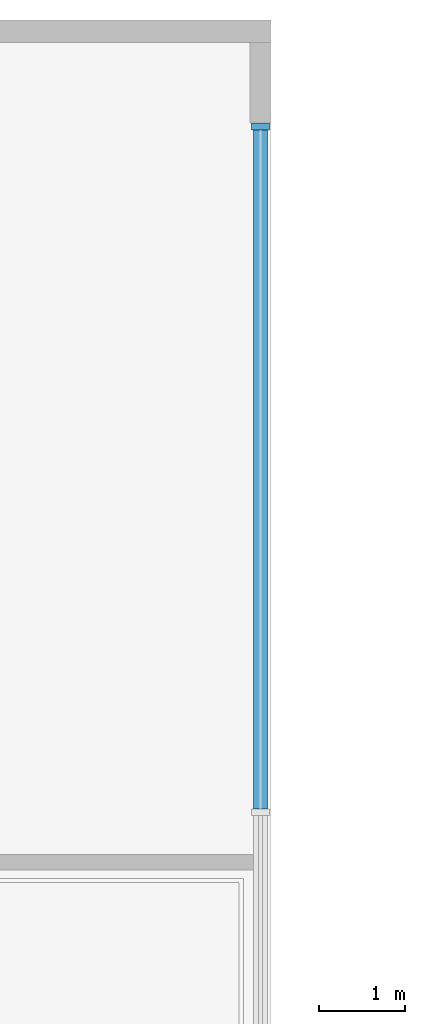
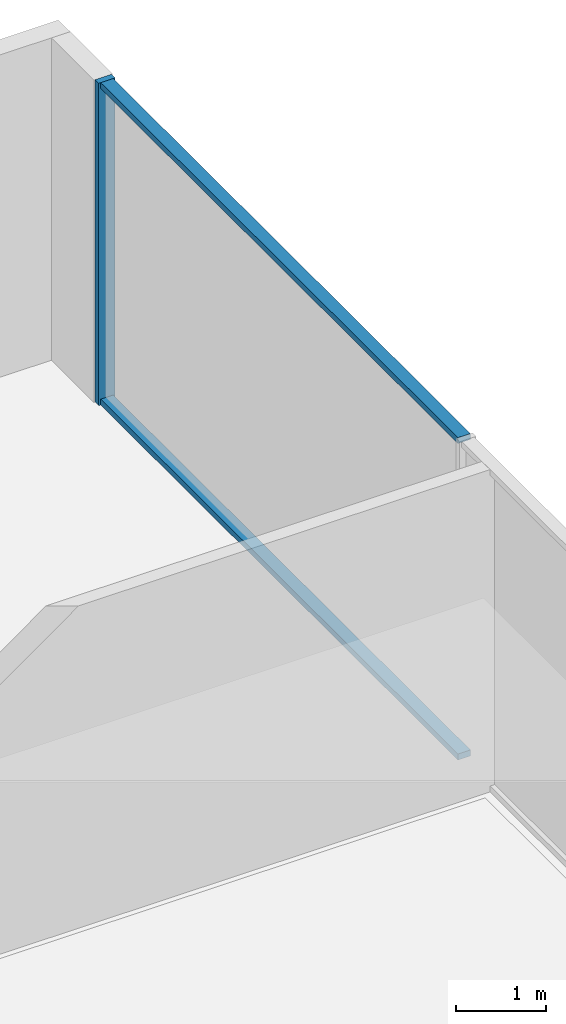
# One storey, part 7 of 13: 3 members, 1 element without a shape of its own.
"""IFC4 building model written with IfcOpenShell, lengths in metres."""

from ifc_helpers import new_model, si_unit, direction, frame, origin, origin_2d, place, context, subcontext, project, spatial, rectangle, extrude, source, transform, mapped, material, layer, layer_set, material_profile, profile_set, type_object, element, aggregate, save


model = new_model("IFC4")

# Units and contexts
model_context = context("Model", 3, precision=1e-05, world=origin(), true_north=direction((0.0, 1.0)))
body_context = subcontext(model_context, "Body", "Model", "MODEL_VIEW")
ifc_project = project(units=[si_unit("LENGTHUNIT", "METRE"), si_unit("AREAUNIT", "SQUARE_METRE"), si_unit("VOLUMEUNIT", "CUBIC_METRE"), si_unit("PLANEANGLEUNIT", "RADIAN"), si_unit("MASSUNIT", "GRAM", prefix="KILO")], contexts=[model_context])

# Site, building, storey
site_placement = place(None, origin())
site = spatial("IfcSite", under=ifc_project, at=site_placement, CompositionType="ELEMENT")
building_placement = place(site_placement, origin())
building = spatial("IfcBuilding", under=site, at=building_placement, Name="Qianlan Lanfeng Residences", CompositionType="ELEMENT")
storey_placement = place(building_placement, frame((0.0, 0.0, 9.800048828125)))
storey = spatial("IfcBuildingStorey", under=building, at=storey_placement, Name="L02", CompositionType="ELEMENT", Elevation=9.800048828125)

# Curtain wall, members
ifc_material = material(Name="Anodised Bronze Aluminium 6063-T6", Category="aluminium")
ifc_layer = layer(ifc_material, 0.219970703125)
ifc_layer_set = layer_set([ifc_layer], Name="Anodised Bronze Aluminium 6063-T6")
curtain_wall_type = type_object("IfcCurtainWallType", Name="CW-01", PredefinedType="NOTDEFINED", material=ifc_layer_set)
curtain_wall_placement = place(storey_placement, origin())
curtain_wall = element("IfcCurtainWall", 1, at=curtain_wall_placement, inside=storey, type_object=curtain_wall_type, Name="L02 Unitised Curtain Wall CWR-L02-E (CW-01)", PredefinedType="NOTDEFINED")
ifc_material_profile_1 = material_profile(ifc_material, rectangle(XDim=0.080078125, YDim=0.2099609375, at=origin_2d()), Name="ALU MULLION 80x210")
ifc_profile_set_1 = profile_set([ifc_material_profile_1], Name="Anodised Bronze Aluminium 6063-T6")
member_type_1 = type_object("IfcMemberType", Name="CWM-220", PredefinedType="MULLION", material=ifc_profile_set_1)
shared_shape_1 = source(origin(), body_context, "Body", "SweptSolid", [
    extrude(rectangle(XDim=0.080078125, YDim=0.2099609375, at=origin_2d()), origin(), (0.0, 0.0, 1.0), 4.349853515625),
])
member_1_placement = place(storey_placement, frame((59.780029296875, 42.56005859375, 0.0), z_axis=(0.0, 0.0, 1.0), x_axis=(0.0, 1.0, 0.0)))
member_1 = element("IfcMember", 2, at=member_1_placement, type_object=member_type_1, Name="CWR-L02-E Mullion 7", PredefinedType="MULLION", context=body_context, shape_type="MappedRepresentation", body=[
    mapped(shared_shape_1, transform((0.0, 0.0, 0.0), scale=1.0)),
])
ifc_material_profile_2 = material_profile(ifc_material, rectangle(XDim=0.080078125, YDim=0.159912109375, at=origin_2d()), Name="ALU TRANSOM 80x160")
ifc_profile_set_2 = profile_set([ifc_material_profile_2], Name="Anodised Bronze Aluminium 6063-T6")
member_type_2 = type_object("IfcMemberType", Name="CWT-180", PredefinedType="USERDEFINED", material=ifc_profile_set_2)
shared_shape_2 = source(origin(), body_context, "Body", "SweptSolid", [
    extrude(rectangle(XDim=0.080078125, YDim=0.159912109375, at=origin_2d()), origin(), (0.0, 0.0, 1.0), 7.89990234375),
])
member_2_placement = place(storey_placement, frame((59.780029296875, 34.6201171875, 0.0400390625), z_axis=(0.0, 1.0, 0.0), x_axis=(0.0, 0.0, 1.0)))
member_2 = element("IfcMember", 3, at=member_2_placement, type_object=member_type_2, Name="CWR-L02-E Transom 6-BOT", ObjectType="TRANSOM", PredefinedType="USERDEFINED", context=body_context, shape_type="MappedRepresentation", body=[
    mapped(shared_shape_2, transform((0.0, 0.0, 0.0), scale=1.0)),
])
member_3_placement = place(storey_placement, frame((59.780029296875, 34.6201171875, 4.31005859375), z_axis=(0.0, 1.0, 0.0), x_axis=(0.0, 0.0, 1.0)))
member_3 = element("IfcMember", 4, at=member_3_placement, type_object=member_type_2, Name="CWR-L02-E Transom 6-TOP", ObjectType="TRANSOM", PredefinedType="USERDEFINED", context=body_context, shape_type="MappedRepresentation", body=[
    mapped(shared_shape_2, transform((0.0, 0.0, 0.0), scale=1.0)),
])
aggregate(curtain_wall, [member_1, member_2, member_3])

save(model, "model.ifc")
